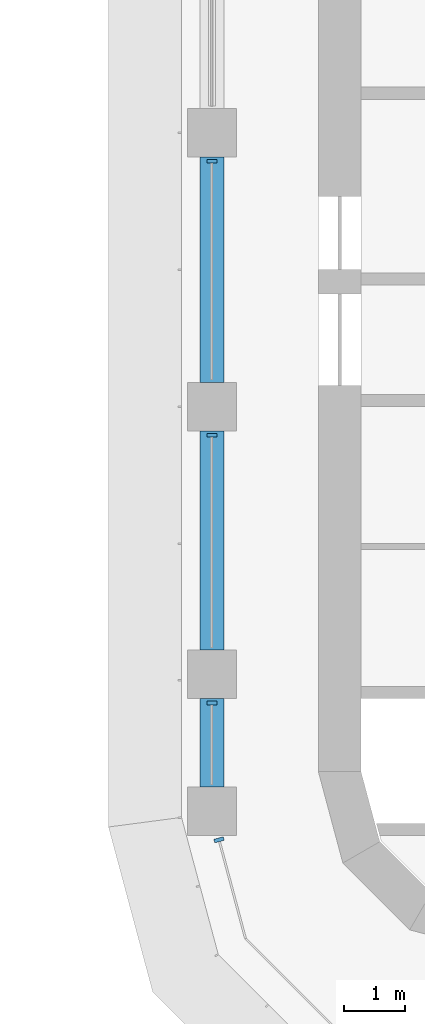
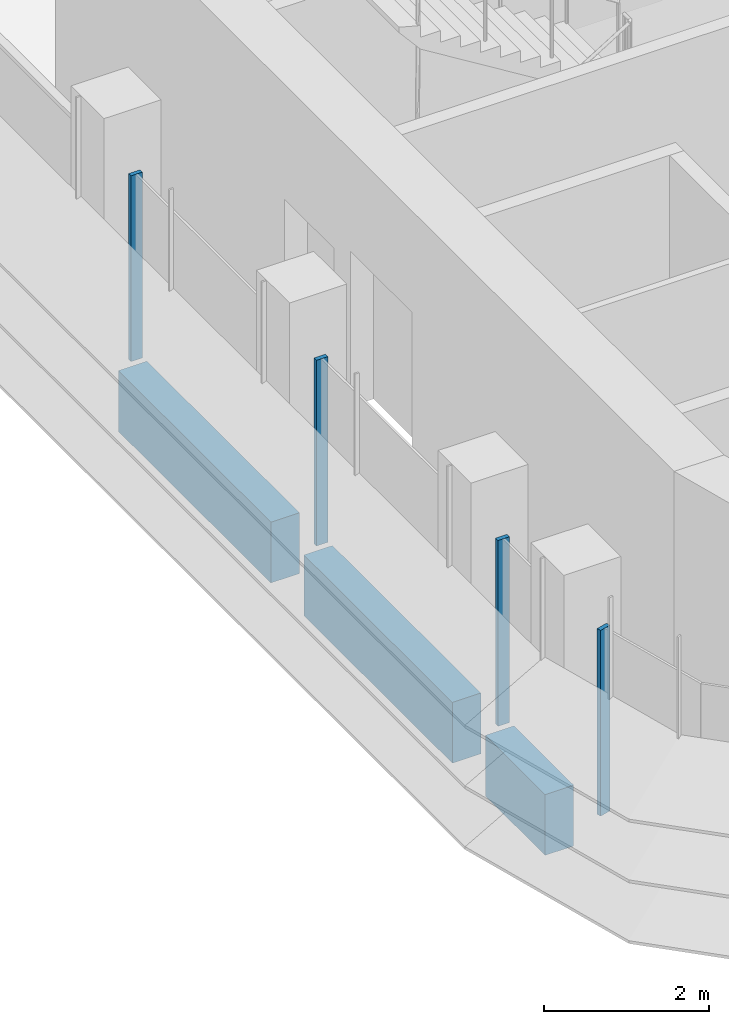
# One storey, part 2 of 19: 4 members, 3 beams, 2 elements without a shape of their own.
"""IFC4 building model written with IfcOpenShell, lengths in metres."""

from ifc_helpers import new_model, si_unit, direction, frame, origin, origin_2d, place, context, subcontext, project, spatial, polyline, rectangle, outline, extrude, source, transform, mapped, material, material_profile, profile_set, type_object, element, aggregate, save


model = new_model("IFC4")

# Units and contexts
model_context = context("Model", 3, precision=1e-05, world=origin(), true_north=direction((0.0, 1.0)))
body_context = subcontext(model_context, "Body", "Model", "MODEL_VIEW")
ifc_project = project(units=[si_unit("LENGTHUNIT", "METRE"), si_unit("AREAUNIT", "SQUARE_METRE"), si_unit("VOLUMEUNIT", "CUBIC_METRE"), si_unit("PLANEANGLEUNIT", "RADIAN"), si_unit("MASSUNIT", "GRAM", prefix="KILO")], contexts=[model_context])

# Site, building, storey
site_placement = place(None, origin())
site = spatial("IfcSite", under=ifc_project, at=site_placement, CompositionType="ELEMENT")
building_placement = place(site_placement, origin())
building = spatial("IfcBuilding", under=site, at=building_placement, Name="Zarbagh Exchange Tower", CompositionType="ELEMENT")
storey_placement = place(building_placement, frame((0.0, 0.0, 167.60009765625)))
storey = spatial("IfcBuildingStorey", under=building, at=storey_placement, Name="L40", CompositionType="ELEMENT", Elevation=167.60009765625)

# Beams
ifc_material_1 = material(Name="Concrete C50/60", Category="concrete")
ifc_material_profile = material_profile(ifc_material_1, rectangle(XDim=0.39990234375, YDim=0.89990234375, at=origin_2d()), Name="RC spandrel beam 400 x 900 C50/60")
ifc_profile_set = profile_set([ifc_material_profile], Name="Concrete C50/60")
beam_type = type_object("IfcBeamType", Name="RC spandrel beam 400 x 900 C50/60", PredefinedType="SPANDREL", material=ifc_profile_set)
beam_1_placement = place(storey_placement, frame((-6.25, -26.5, -0.60009765625), z_axis=(0.0, 1.0, 0.0), x_axis=(-1.0, 0.0, 0.0)))
element("IfcBeam", 1, at=beam_1_placement, inside=storey, type_object=beam_type, Name="RC spandrel beam", PredefinedType="SPANDREL", context=body_context, shape_type="SweptSolid", body=[
    extrude(rectangle(XDim=0.39990234375, YDim=0.89990234375, at=origin_2d()), origin(), (0.0, 0.0, 1.0), 1.449951171875),
])
beam_2_placement = place(storey_placement, frame((-6.25, -24.25, -0.60009765625), z_axis=(0.0, 1.0, 0.0), x_axis=(-1.0, 0.0, 0.0)))
element("IfcBeam", 2, at=beam_2_placement, inside=storey, type_object=beam_type, Name="RC spandrel beam", PredefinedType="SPANDREL", context=body_context, shape_type="SweptSolid", body=[
    extrude(rectangle(XDim=0.39990234375, YDim=0.89990234375, at=origin_2d()), origin(), (0.0, 0.0, 1.0), 3.60009765625),
])
beam_3_placement = place(storey_placement, frame((-6.25, -19.85009765625, -0.60009765625), z_axis=(0.0, 1.0, 0.0), x_axis=(-1.0, 0.0, 0.0)))
element("IfcBeam", 3, at=beam_3_placement, inside=storey, type_object=beam_type, Name="RC spandrel beam", PredefinedType="SPANDREL", context=body_context, shape_type="SweptSolid", body=[
    extrude(rectangle(XDim=0.39990234375, YDim=0.89990234375, at=origin_2d()), origin(), (0.0, 0.0, 1.0), 3.7001953125),
])

# Curtain wall, members
ifc_material_2 = material(Name="Anodised aluminium frame and glazing", Category="aluminium")
curtain_wall_type = type_object("IfcCurtainWallType", Name="CWB Ribbon glazing, upper zones", PredefinedType="NOTDEFINED", material=ifc_material_2)
curtain_wall_1_placement = place(storey_placement, origin())
curtain_wall_1 = element("IfcCurtainWall", 4, at=curtain_wall_1_placement, inside=storey, type_object=curtain_wall_type, Name="CWB53 curtain wall", PredefinedType="NOTDEFINED")
ifc_material_3 = material(Name="Anodised aluminium frame", Category="aluminium")
member_type = type_object("IfcMemberType", Name="MUB Mullion, anodised aluminium frame", PredefinedType="MULLION", material=ifc_material_3)
shared_shape = source(origin(), body_context, "Body", "SweptSolid", [
    extrude(outline(polyline([(0.0, -0.080078125), (0.06005859375, -0.080078125), (0.06005859375, 0.080078125), (0.0, 0.080078125), (0.0, -0.080078125)])), origin(), (0.0, 0.0, 1.0), 2.75),
])
placement = place(storey_placement, origin())
member_1 = element("IfcMember", 5, at=placement, type_object=member_type, Name="CWB53 mullion 2.1", PredefinedType="MULLION", context=body_context, shape_type="MappedRepresentation", body=[
    mapped(shared_shape, transform((-6.25, -16.18994140625, 0.0), x_axis=(0.0, -1.0, 0.0), y_axis=(1.0, 0.0, 0.0), z_axis=(0.0, 0.0, 1.0))),
])
member_2 = element("IfcMember", 6, at=placement, type_object=member_type, Name="CWB53 mullion 3.1", PredefinedType="MULLION", context=body_context, shape_type="MappedRepresentation", body=[
    mapped(shared_shape, transform((-6.25, -20.68994140625, 0.0), x_axis=(0.0, -1.0, 0.0), y_axis=(1.0, 0.0, 0.0), z_axis=(0.0, 0.0, 1.0))),
])
member_3 = element("IfcMember", 7, at=placement, type_object=member_type, Name="CWB53 mullion 4.1", PredefinedType="MULLION", context=body_context, shape_type="MappedRepresentation", body=[
    mapped(shared_shape, transform((-6.25, -25.090087890625, 0.0), x_axis=(0.0, -1.0, 0.0), y_axis=(1.0, 0.0, 0.0), z_axis=(0.0, 0.0, 1.0))),
])
aggregate(curtain_wall_1, [member_1, member_2, member_3])

# Curtain wall, member
curtain_wall_2_placement = place(storey_placement, origin())
curtain_wall_2 = element("IfcCurtainWall", 8, at=curtain_wall_2_placement, inside=storey, type_object=curtain_wall_type, Name="CWB54 curtain wall", PredefinedType="NOTDEFINED")
member_4 = element("IfcMember", 9, at=placement, type_object=member_type, Name="CWB54 mullion 1.1", PredefinedType="MULLION", context=body_context, shape_type="MappedRepresentation", body=[
    mapped(shared_shape, transform((-6.141357421875, -27.33984375, 0.0), x_axis=(0.258824779902, -0.965924289636, 0.0), y_axis=(0.965924289636, 0.258824779902, 0.0), z_axis=(0.0, 0.0, 1.0))),
])
aggregate(curtain_wall_2, [member_4])

save(model, "model.ifc")
